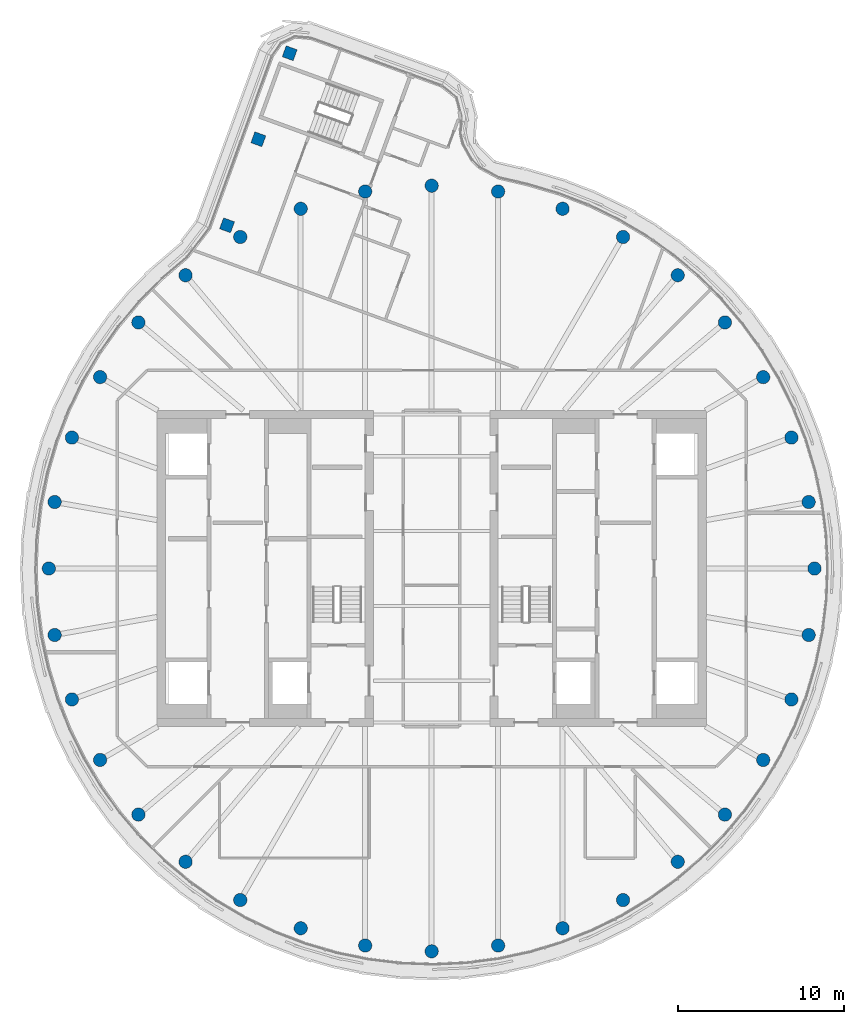
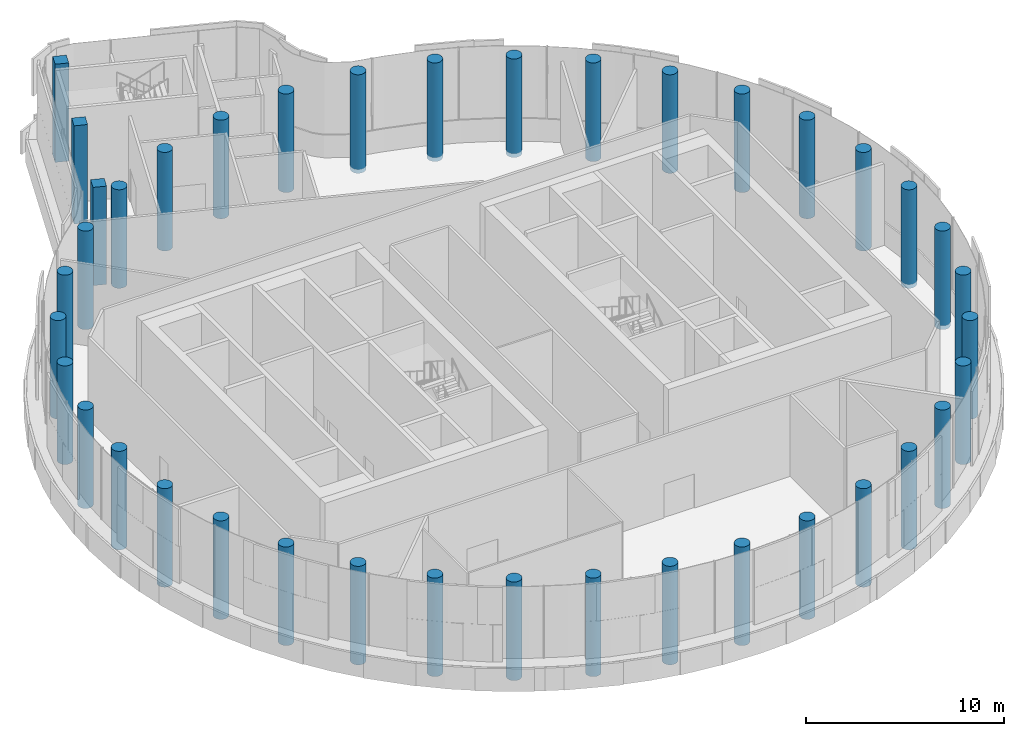
# One storey, part 1 of 18: 39 columns.
"""IFC4 building model written with IfcOpenShell, lengths in metres."""

from ifc_helpers import new_model, si_unit, direction, frame, origin, origin_2d, place, context, subcontext, project, spatial, rectangle, circle, extrude, material, material_profile, profile_set, type_object, element, save


model = new_model("IFC4")

# Units and contexts
model_context = context("Model", 3, precision=1e-05, world=origin(), true_north=direction((0.0, 1.0)))
body_context = subcontext(model_context, "Body", "Model", "MODEL_VIEW")
ifc_project = project(units=[si_unit("LENGTHUNIT", "METRE"), si_unit("AREAUNIT", "SQUARE_METRE"), si_unit("VOLUMEUNIT", "CUBIC_METRE"), si_unit("PLANEANGLEUNIT", "RADIAN"), si_unit("MASSUNIT", "GRAM", prefix="KILO")], contexts=[model_context])

# Site, building, storey
site_placement = place(None, origin())
site = spatial("IfcSite", under=ifc_project, at=site_placement, CompositionType="ELEMENT")
building_placement = place(site_placement, origin())
building = spatial("IfcBuilding", under=site, at=building_placement, Name="Tamarind Cross Interchange Tower", CompositionType="ELEMENT")
storey_placement = place(building_placement, frame((0.0, 0.0, 299.39990234375)))
storey = spatial("IfcBuildingStorey", under=building, at=storey_placement, Name="L74", CompositionType="ELEMENT", Elevation=299.39990234375)

# Columns
ifc_material = material(Name="Concrete C45", Category="concrete")
ifc_material_profile_1 = material_profile(ifc_material, rectangle(XDim=0.699951171875, YDim=0.699951171875, at=origin_2d()), Name="RC 700x700")
ifc_profile_set_1 = profile_set([ifc_material_profile_1], Name="Concrete C45")
column_type_1 = type_object("IfcColumnType", Name="Column RC 700x700 Concrete C45", PredefinedType="COLUMN", material=ifc_profile_set_1)
for number, where, z_axis, x_axis, name in (
    (1, (-8.530029296875, 30.957275390625, -0.22802734375), (0.0, 0.0, 1.0), (0.341993902024, 0.939702171424, 0.0), "Column L74-047"),
    (2, (-10.4111328125, 25.7890625, -0.22802734375), (0.0, 0.0, 1.0), (0.341993902024, 0.939702171424, 0.0), "Column L74-048"),
    (3, (-12.2919921875, 20.62060546875, -0.22802734375), (0.0, 0.0, 1.0), (0.341993902024, 0.939702171424, 0.0), "Column L74-049"),
):
    element("IfcColumn", number, at=place(storey_placement, frame(where, z_axis=z_axis, x_axis=x_axis)), inside=storey, type_object=column_type_1, Name=name, PredefinedType="COLUMN", context=body_context, shape_type="SweptSolid", body=[
        extrude(rectangle(XDim=0.699951171875, YDim=0.699951171875, at=origin_2d()), origin(), (0.0, 0.0, 1.0), 6.048095703125),
    ])
ifc_material_profile_2 = material_profile(ifc_material, circle(Radius=0.39990234375, at=origin_2d()), Name="RC D800")
ifc_profile_set_2 = profile_set([ifc_material_profile_2], Name="Concrete C45")
column_type_2 = type_object("IfcColumnType", Name="Column RC D800 Concrete C45", PredefinedType="COLUMN", material=ifc_profile_set_2)
for number, where, z_axis, x_axis, name in (
    (4, (23.0, 0.0, -0.25), (0.0, 0.0, 1.0), (1.0, 0.0, 0.0), "Column L74-000"),
    (5, (22.650634765625, 3.993896484375, -0.25), (0.0, 0.0, 1.0), (1.0, 0.0, 0.0), "Column L74-001"),
    (6, (21.613037109375, 7.866455078125, -0.25), (0.0, 0.0, 1.0), (1.0, 0.0, 0.0), "Column L74-002"),
    (7, (19.918701171875, 11.5, -0.25), (0.0, 0.0, 1.0), (1.0, 0.0, 0.0), "Column L74-003"),
    (8, (17.619140625, 14.7841796875, -0.25), (0.0, 0.0, 1.0), (1.0, 0.0, 0.0), "Column L74-004"),
    (9, (14.7841796875, 17.619140625, -0.25), (0.0, 0.0, 1.0), (1.0, 0.0, 0.0), "Column L74-005"),
    (10, (11.5, 19.918701171875, -0.25), (0.0, 0.0, 1.0), (1.0, 0.0, 0.0), "Column L74-006"),
    (11, (7.866455078125, 21.613037109375, -0.25), (0.0, 0.0, 1.0), (1.0, 0.0, 0.0), "Column L74-007"),
    (12, (3.993896484375, 22.650634765625, -0.25), (0.0, 0.0, 1.0), (1.0, 0.0, 0.0), "Column L74-008"),
    (13, (0.0, 23.0, -0.25), (0.0, 0.0, 1.0), (1.0, 0.0, 0.0), "Column L74-009"),
    (14, (-3.993896484375, 22.650634765625, -0.25), (0.0, 0.0, 1.0), (1.0, 0.0, 0.0), "Column L74-010"),
    (15, (-7.866455078125, 21.613037109375, -0.25), (0.0, 0.0, 1.0), (1.0, 0.0, 0.0), "Column L74-011"),
    (16, (-11.5, 19.918701171875, -0.25), (0.0, 0.0, 1.0), (1.0, 0.0, 0.0), "Column L74-012"),
    (17, (-14.7841796875, 17.619140625, -0.25), (0.0, 0.0, 1.0), (1.0, 0.0, 0.0), "Column L74-013"),
    (18, (-17.619140625, 14.7841796875, -0.25), (0.0, 0.0, 1.0), (1.0, 0.0, 0.0), "Column L74-014"),
    (19, (-19.918701171875, 11.5, -0.25), (0.0, 0.0, 1.0), (1.0, 0.0, 0.0), "Column L74-015"),
    (20, (-21.613037109375, 7.866455078125, -0.25), (0.0, 0.0, 1.0), (1.0, 0.0, 0.0), "Column L74-016"),
    (21, (-22.650634765625, 3.993896484375, -0.25), (0.0, 0.0, 1.0), (1.0, 0.0, 0.0), "Column L74-017"),
    (22, (-23.0, 0.0, -0.25), (0.0, 0.0, 1.0), (1.0, 0.0, 0.0), "Column L74-018"),
    (23, (-22.650634765625, -3.993896484375, -0.25), (0.0, 0.0, 1.0), (1.0, 0.0, 0.0), "Column L74-019"),
    (24, (-21.613037109375, -7.866455078125, -0.25), (0.0, 0.0, 1.0), (1.0, 0.0, 0.0), "Column L74-020"),
    (25, (-19.918701171875, -11.5, -0.25), (0.0, 0.0, 1.0), (1.0, 0.0, 0.0), "Column L74-021"),
    (26, (-17.619140625, -14.7841796875, -0.25), (0.0, 0.0, 1.0), (1.0, 0.0, 0.0), "Column L74-022"),
    (27, (-14.7841796875, -17.619140625, -0.25), (0.0, 0.0, 1.0), (1.0, 0.0, 0.0), "Column L74-023"),
    (28, (-11.5, -19.918701171875, -0.25), (0.0, 0.0, 1.0), (1.0, 0.0, 0.0), "Column L74-024"),
    (29, (-7.866455078125, -21.613037109375, -0.25), (0.0, 0.0, 1.0), (1.0, 0.0, 0.0), "Column L74-025"),
    (30, (-3.993896484375, -22.650634765625, -0.25), (0.0, 0.0, 1.0), (1.0, 0.0, 0.0), "Column L74-026"),
    (31, (0.0, -23.0, -0.25), (0.0, 0.0, 1.0), (1.0, 0.0, 0.0), "Column L74-027"),
    (32, (3.993896484375, -22.650634765625, -0.25), (0.0, 0.0, 1.0), (1.0, 0.0, 0.0), "Column L74-028"),
    (33, (7.866455078125, -21.613037109375, -0.25), (0.0, 0.0, 1.0), (1.0, 0.0, 0.0), "Column L74-029"),
    (34, (11.5, -19.918701171875, -0.25), (0.0, 0.0, 1.0), (1.0, 0.0, 0.0), "Column L74-030"),
    (35, (14.7841796875, -17.619140625, -0.25), (0.0, 0.0, 1.0), (1.0, 0.0, 0.0), "Column L74-031"),
    (36, (17.619140625, -14.7841796875, -0.25), (0.0, 0.0, 1.0), (1.0, 0.0, 0.0), "Column L74-032"),
    (37, (19.918701171875, -11.5, -0.25), (0.0, 0.0, 1.0), (1.0, 0.0, 0.0), "Column L74-033"),
    (38, (21.613037109375, -7.866455078125, -0.25), (0.0, 0.0, 1.0), (1.0, 0.0, 0.0), "Column L74-034"),
    (39, (22.650634765625, -3.993896484375, -0.25), (0.0, 0.0, 1.0), (1.0, 0.0, 0.0), "Column L74-035"),
):
    element("IfcColumn", number, at=place(storey_placement, frame(where, z_axis=z_axis, x_axis=x_axis)), inside=storey, type_object=column_type_2, Name=name, PredefinedType="COLUMN", context=body_context, shape_type="SweptSolid", body=[
        extrude(circle(Radius=0.39990234375, at=origin_2d()), origin(), (0.0, 0.0, 1.0), 6.070068359375),
    ])

save(model, "model.ifc")
